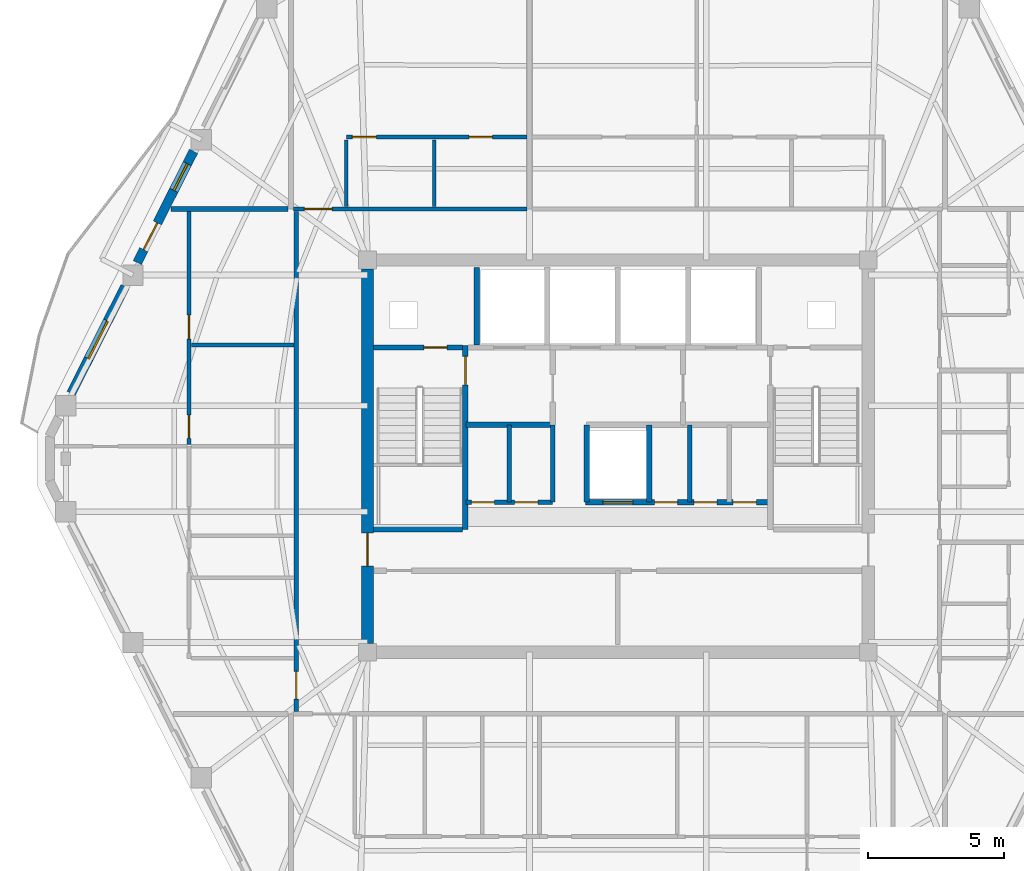
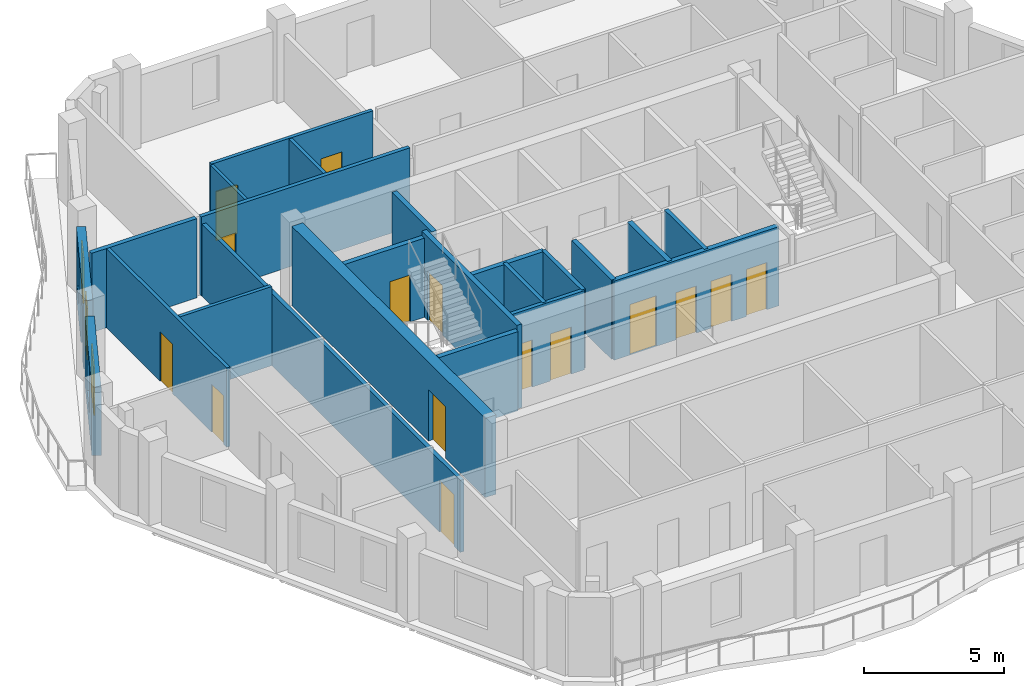
# One storey, part 5 of 11: 23 walls, 16 doors, 2 windows, 18 openings.
"""IFC4 building model written with IfcOpenShell, lengths in metres."""

from ifc_helpers import new_model, si_unit, direction, frame, frame_2d, origin, place, context, subcontext, project, spatial, rectangle, extrude, material, layer, layer_set, type_object, element, fill, save


model = new_model("IFC4")

# Units and contexts
model_context = context("Model", 3, precision=1e-05, world=origin(), true_north=direction((0.0, 1.0)))
body_context = subcontext(model_context, "Body", "Model", "MODEL_VIEW")
ifc_project = project(units=[si_unit("LENGTHUNIT", "METRE"), si_unit("AREAUNIT", "SQUARE_METRE"), si_unit("VOLUMEUNIT", "CUBIC_METRE"), si_unit("PLANEANGLEUNIT", "RADIAN"), si_unit("MASSUNIT", "GRAM", prefix="KILO")], contexts=[model_context])

# Site, building, storey
site_placement = place(None, origin())
site = spatial("IfcSite", under=ifc_project, at=site_placement, CompositionType="ELEMENT")
building_placement = place(site_placement, origin())
building = spatial("IfcBuilding", under=site, at=building_placement, Name="Cinnabar Lancet Tower", CompositionType="ELEMENT")
storey_placement = place(building_placement, frame((0.0, 0.0, 248.89990234375)))
storey = spatial("IfcBuildingStorey", under=building, at=storey_placement, Name="L66", CompositionType="ELEMENT", Elevation=248.89990234375)

# Wall, openings, doors
ifc_material_1 = material(Name="Acoustic twin-stud gypsum partition", Category="gypsum")
ifc_layer_1 = layer(ifc_material_1, 0.159912109375)
ifc_layer_set_1 = layer_set([ifc_layer_1], Name="Acoustic twin-stud gypsum partition")
wall_type_1 = type_object("IfcWallType", Name="ARC-WL-CORR-160", PredefinedType="PARTITIONING", material=ifc_layer_set_1)
wall_1_placement = place(storey_placement, frame((26.800048828125, 24.199951171875, 0.0), z_axis=(0.0, 0.0, 1.0), x_axis=(1.0, 0.0, 0.0)))
wall_1 = element("IfcWall", 1, at=wall_1_placement, inside=storey, type_object=wall_type_1, Name="CW-REC5S-L66", PredefinedType="PARTITIONING", context=body_context, shape_type="SweptSolid", body=[
    extrude(rectangle(XDim=3.199951171875, YDim=0.159912109375, at=frame_2d((1.60009765625, 0.0))), origin(), (0.0, 0.0, 1.0), 3.4501953125),
])
opening_1_placement = place(wall_1_placement, frame((0.199951171875, 0.0, 0.0)))
opening_1 = element("IfcOpeningElement", 2, at=opening_1_placement, cuts=wall_1, Name="Opening PD-02", PredefinedType="OPENING", context=body_context, shape_type="SweptSolid", body=[
    extrude(rectangle(XDim=0.85009765625, YDim=2.050048828125, at=frame_2d((0.425048828125, 1.02490234375))), frame((0.0, 0.08984375, 0.0), z_axis=(0.0, -1.0, 0.0), x_axis=(1.0, 0.0, 0.0)), (0.0, 0.0, 1.0), 0.179931640625),
])
opening_2_placement = place(wall_1_placement, frame((1.800048828125, 0.0, 0.0)))
opening_2 = element("IfcOpeningElement", 3, at=opening_2_placement, cuts=wall_1, Name="Opening PD-02", PredefinedType="OPENING", context=body_context, shape_type="SweptSolid", body=[
    extrude(rectangle(XDim=0.85009765625, YDim=2.050048828125, at=frame_2d((0.425048828125, 1.02490234375))), frame((0.0, 0.08984375, 0.0), z_axis=(0.0, -1.0, 0.0), x_axis=(1.0, 0.0, 0.0)), (0.0, 0.0, 1.0), 0.179931640625),
])
ifc_material_2 = material(Name="Fire-rated steel riser access door", Category="steel")
door_type_1 = type_object("IfcDoorType", Name="ARC-DR-RISER", OperationType="NOTDEFINED", PredefinedType="DOOR", material=ifc_material_2)
door_1_placement = place(opening_1_placement, origin())
door_1 = element("IfcDoor", 4, at=door_1_placement, inside=storey, type_object=door_type_1, Name="DR-L66-REC5A", OperationType="SINGLE_SWING_LEFT", OverallHeight=2.050048828125, OverallWidth=0.85009765625, PredefinedType="DOOR", context=body_context, shape_type="SweptSolid", body=[
    extrude(rectangle(XDim=0.85009765625, YDim=2.050048828125, at=frame_2d((0.425048828125, 1.02490234375))), frame((0.0, 0.02490234375, 0.0), z_axis=(0.0, -1.0, 0.0), x_axis=(1.0, 0.0, 0.0)), (0.0, 0.0, 1.0), 0.050048828125),
])
fill(opening_1, door_1)
door_2_placement = place(opening_2_placement, origin())
door_2 = element("IfcDoor", 5, at=door_2_placement, inside=storey, type_object=door_type_1, Name="DR-L66-REC5B", OperationType="SINGLE_SWING_RIGHT", OverallHeight=2.050048828125, OverallWidth=0.85009765625, PredefinedType="DOOR", context=body_context, shape_type="SweptSolid", body=[
    extrude(rectangle(XDim=0.85009765625, YDim=2.050048828125, at=frame_2d((0.425048828125, 1.02490234375))), frame((0.0, 0.02490234375, 0.0), z_axis=(0.0, -1.0, 0.0), x_axis=(1.0, 0.0, 0.0)), (0.0, 0.0, 1.0), 0.050048828125),
])
fill(opening_2, door_2)

# Walls
for number, where, z_axis, x_axis, name in (
    (6, (30.0, 24.199951171875, 0.0), (0.0, 0.0, 1.0), (0.0, 1.0, 0.0), "CW-REC5E-L66"),
    (7, (28.39990234375, 24.199951171875, 0.0), (0.0, 0.0, 1.0), (0.0, 1.0, 0.0), "CW-REC5D0-L66"),
    (8, (35.050048828125, 24.199951171875, 0.0), (0.0, 0.0, 1.0), (0.0, 1.0, 0.0), "CW-REC6D1-L66"),
):
    element("IfcWall", number, at=place(storey_placement, frame(where, z_axis=z_axis, x_axis=x_axis)), inside=storey, type_object=wall_type_1, Name=name, PredefinedType="PARTITIONING", context=body_context, shape_type="SweptSolid", body=[
        extrude(rectangle(XDim=2.85009765625, YDim=0.159912109375, at=frame_2d((1.425048828125, 0.0))), origin(), (0.0, 0.0, 1.0), 3.4501953125),
    ])

# Wall, opening, door
wall_2_placement = place(storey_placement, frame((20.445068359375, 35.0, 0.0), z_axis=(0.0, 0.0, 1.0), x_axis=(1.0, 0.0, 0.0)))
wall_2 = element("IfcWall", 9, at=wall_2_placement, inside=storey, type_object=wall_type_1, Name="L66 Unit N01 Corridor Wall", PredefinedType="PARTITIONING", context=body_context, shape_type="SweptSolid", body=[
    extrude(rectangle(XDim=8.60595703125, YDim=0.159912109375, at=frame_2d((4.302978515625, 0.0))), origin(), (0.0, 0.0, 1.0), 3.4501953125),
])
opening_3_placement = place(wall_2_placement, frame((0.405029296875, 0.0, 0.0)))
opening_3 = element("IfcOpeningElement", 10, at=opening_3_placement, cuts=wall_2, Name="Opening UD-01", PredefinedType="OPENING", context=body_context, shape_type="SweptSolid", body=[
    extrude(rectangle(XDim=1.02001953125, YDim=2.25, at=frame_2d((0.510009765625, 1.125))), frame((0.0, 0.08984375, 0.0), z_axis=(0.0, -1.0, 0.0), x_axis=(1.0, 0.0, 0.0)), (0.0, 0.0, 1.0), 0.179931640625),
])
ifc_material_3 = material(Name="Solid timber fire-rated apartment entrance door", Category="wood")
door_type_2 = type_object("IfcDoorType", Name="ARC-DR-UNIT", OperationType="NOTDEFINED", PredefinedType="DOOR", material=ifc_material_3)
door_3_placement = place(opening_3_placement, origin())
door_3 = element("IfcDoor", 11, at=door_3_placement, inside=storey, type_object=door_type_2, Name="DR-L66-N01-ENT", OperationType="SINGLE_SWING_RIGHT", OverallHeight=2.25, OverallWidth=1.02001953125, PredefinedType="DOOR", context=body_context, shape_type="SweptSolid", body=[
    extrude(rectangle(XDim=1.02001953125, YDim=2.25, at=frame_2d((0.510009765625, 1.125))), frame((0.0, 0.02490234375, 0.0), z_axis=(0.0, -1.0, 0.0), x_axis=(1.0, 0.0, 0.0)), (0.0, 0.0, 1.0), 0.050048828125),
])
fill(opening_3, door_3)

wall_3_placement = place(storey_placement, frame((20.550048828125, 16.4951171875, 0.0), z_axis=(0.0, 0.0, 1.0), x_axis=(0.0, 1.0, 0.0)))
wall_3 = element("IfcWall", 12, at=wall_3_placement, inside=storey, type_object=wall_type_1, Name="UW-L66-W01-COR", PredefinedType="PARTITIONING", context=body_context, shape_type="SweptSolid", body=[
    extrude(rectangle(XDim=18.409912109375, YDim=0.159912109375, at=frame_2d((9.205078125, 0.0))), origin(), (0.0, 0.0, 1.0), 3.13720703125),
])
opening_4_placement = place(wall_3_placement, frame((0.449951171875, 0.0, 0.0)))
opening_4 = element("IfcOpeningElement", 13, at=opening_4_placement, cuts=wall_3, Name="Opening UD-01", PredefinedType="OPENING", context=body_context, shape_type="SweptSolid", body=[
    extrude(rectangle(XDim=1.02001953125, YDim=2.25, at=frame_2d((0.510009765625, 1.125))), frame((0.0, 0.08984375, 0.0), z_axis=(0.0, -1.0, 0.0), x_axis=(1.0, 0.0, 0.0)), (0.0, 0.0, 1.0), 0.179931640625),
])
door_4_placement = place(opening_4_placement, origin())
door_4 = element("IfcDoor", 14, at=door_4_placement, inside=storey, type_object=door_type_2, Name="DR-L66-W01-ENT", OperationType="SINGLE_SWING_LEFT", OverallHeight=2.25, OverallWidth=1.02001953125, PredefinedType="DOOR", context=body_context, shape_type="SweptSolid", body=[
    extrude(rectangle(XDim=1.02001953125, YDim=2.25, at=frame_2d((0.510009765625, 1.125))), frame((0.0, 0.02490234375, 0.0), z_axis=(0.0, -1.0, 0.0), x_axis=(1.0, 0.0, 0.0)), (0.0, 0.0, 1.0), 0.050048828125),
])
fill(opening_4, door_4)

# Walls
ifc_material_4 = material(Name="Fire-rated twin-frame acoustic drywall", Category="gypsum")
ifc_layer_2 = layer(ifc_material_4, 0.179931640625)
ifc_layer_set_2 = layer_set([ifc_layer_2], Name="Fire-rated twin-frame acoustic drywall")
wall_type_2 = type_object("IfcWallType", Name="ARC-WL-PARTY-180", PredefinedType="PARTITIONING", material=ifc_layer_set_2)
wall_4_placement = place(storey_placement, frame((15.93310546875, 35.0, 0.0), z_axis=(0.0, 0.0, 1.0), x_axis=(1.0, 0.0, 0.0)))
element("IfcWall", 15, at=wall_4_placement, inside=storey, type_object=wall_type_2, Name="PW-L66-WNB", PredefinedType="PARTITIONING", context=body_context, shape_type="SweptSolid", body=[
    extrude(rectangle(XDim=4.32177734375, YDim=0.179931640625, at=frame_2d((2.160888671875, 0.0))), origin(), (0.0, 0.0, 1.0), 3.4501953125),
])
ifc_material_5 = material(Name="Autoclaved aerated concrete blockwork", Category="masonry")
ifc_layer_3 = layer(ifc_material_5, 0.199951171875)
ifc_layer_set_3 = layer_set([ifc_layer_3], Name="Autoclaved aerated concrete blockwork")
wall_type_3 = type_object("IfcWallType", Name="ARC-WL-SHAFT-200", PredefinedType="PLUMBINGWALL", material=ifc_layer_set_3)
wall_5_placement = place(storey_placement, frame((23.405029296875, 23.199951171875, 0.0), z_axis=(0.0, 0.0, 1.0), x_axis=(1.0, 0.0, 0.0)))
element("IfcWall", 16, at=wall_5_placement, inside=storey, type_object=wall_type_3, Name="CW-ST1S-L66", PredefinedType="PLUMBINGWALL", context=body_context, shape_type="SweptSolid", body=[
    extrude(rectangle(XDim=3.27001953125, YDim=0.199951171875, at=frame_2d((1.635009765625, 0.0))), origin(), (0.0, 0.0, 1.0), 3.4501953125),
])

# Wall, opening, door
wall_6_placement = place(storey_placement, frame((23.405029296875, 29.89990234375, 0.0), z_axis=(0.0, 0.0, 1.0), x_axis=(1.0, 0.0, 0.0)))
wall_6 = element("IfcWall", 17, at=wall_6_placement, inside=storey, type_object=wall_type_3, Name="CW-NSH-W-L66", PredefinedType="PLUMBINGWALL", context=body_context, shape_type="SweptSolid", body=[
    extrude(rectangle(XDim=3.27001953125, YDim=0.199951171875, at=frame_2d((1.635009765625, 0.0))), origin(), (0.0, 0.0, 1.0), 3.4501953125),
])
opening_5_placement = place(wall_6_placement, frame((1.85009765625, 0.0, 0.0)))
opening_5 = element("IfcOpeningElement", 18, at=opening_5_placement, cuts=wall_6, Name="Opening PD-02", PredefinedType="OPENING", context=body_context, shape_type="SweptSolid", body=[
    extrude(rectangle(XDim=0.85009765625, YDim=2.050048828125, at=frame_2d((0.425048828125, 1.02490234375))), frame((0.0, 0.10986328125, 0.0), z_axis=(0.0, -1.0, 0.0), x_axis=(1.0, 0.0, 0.0)), (0.0, 0.0, 1.0), 0.219970703125),
])
door_5_placement = place(opening_5_placement, origin())
door_5 = element("IfcDoor", 19, at=door_5_placement, inside=storey, type_object=door_type_1, Name="L66 West Riser Access Door", OperationType="SINGLE_SWING_LEFT", OverallHeight=2.050048828125, OverallWidth=0.85009765625, PredefinedType="DOOR", context=body_context, shape_type="SweptSolid", body=[
    extrude(rectangle(XDim=0.85009765625, YDim=2.050048828125, at=frame_2d((0.425048828125, 1.02490234375))), frame((0.0, 0.02490234375, 0.0), z_axis=(0.0, -1.0, 0.0), x_axis=(1.0, 0.0, 0.0)), (0.0, 0.0, 1.0), 0.050048828125),
])
fill(opening_5, door_5)

# Walls
wall_7_placement = place(storey_placement, frame((27.199951171875, 30.0, 0.0), z_axis=(0.0, 0.0, 1.0), x_axis=(0.0, 1.0, 0.0)))
element("IfcWall", 20, at=wall_7_placement, inside=storey, type_object=wall_type_3, Name="CW-NSH-D1-L66", PredefinedType="PLUMBINGWALL", context=body_context, shape_type="SweptSolid", body=[
    extrude(rectangle(XDim=2.85009765625, YDim=0.199951171875, at=frame_2d((1.425048828125, 0.0))), origin(), (0.0, 0.0, 1.0), 3.4501953125),
])
wall_8_placement = place(storey_placement, frame((26.800048828125, 27.050048828125, 0.0), z_axis=(0.0, 0.0, 1.0), x_axis=(1.0, 0.0, 0.0)))
element("IfcWall", 21, at=wall_8_placement, inside=storey, type_object=wall_type_3, Name="CW-FF1S-L66", PredefinedType="PLUMBINGWALL", context=body_context, shape_type="SweptSolid", body=[
    extrude(rectangle(XDim=3.199951171875, YDim=0.199951171875, at=frame_2d((1.60009765625, 0.0))), origin(), (0.0, 0.0, 1.0), 3.4501953125),
])

# Wall, openings, doors
wall_9_placement = place(storey_placement, frame((31.199951171875, 24.199951171875, 0.0), z_axis=(0.0, 0.0, 1.0), x_axis=(1.0, 0.0, 0.0)))
wall_9 = element("IfcWall", 22, at=wall_9_placement, inside=storey, type_object=wall_type_3, Name="CW-PL96S-L66", PredefinedType="PLUMBINGWALL", context=body_context, shape_type="SweptSolid", body=[
    extrude(rectangle(XDim=6.800048828125, YDim=0.199951171875, at=frame_2d((3.39990234375, 0.0))), origin(), (0.0, 0.0, 1.0), 3.4501953125),
])
opening_6_placement = place(wall_9_placement, frame((0.64990234375, 0.0, 0.0)))
opening_6 = element("IfcOpeningElement", 23, at=opening_6_placement, cuts=wall_9, Name="Opening LD-01", PredefinedType="OPENING", context=body_context, shape_type="SweptSolid", body=[
    extrude(rectangle(XDim=1.10009765625, YDim=2.199951171875, at=frame_2d((0.550048828125, 1.10009765625))), frame((0.0, 0.10986328125, 0.0), z_axis=(0.0, -1.0, 0.0), x_axis=(1.0, 0.0, 0.0)), (0.0, 0.0, 1.0), 0.219970703125),
])
opening_7_placement = place(wall_9_placement, frame((2.550048828125, 0.0, 0.0)))
opening_7 = element("IfcOpeningElement", 24, at=opening_7_placement, cuts=wall_9, Name="Opening PD-02", PredefinedType="OPENING", context=body_context, shape_type="SweptSolid", body=[
    extrude(rectangle(XDim=0.85009765625, YDim=2.050048828125, at=frame_2d((0.425048828125, 1.02490234375))), frame((0.0, 0.10986328125, 0.0), z_axis=(0.0, -1.0, 0.0), x_axis=(1.0, 0.0, 0.0)), (0.0, 0.0, 1.0), 0.219970703125),
])
opening_8_placement = place(wall_9_placement, frame((4.0, 0.0, 0.0)))
opening_8 = element("IfcOpeningElement", 25, at=opening_8_placement, cuts=wall_9, Name="Opening PD-02", PredefinedType="OPENING", context=body_context, shape_type="SweptSolid", body=[
    extrude(rectangle(XDim=0.85009765625, YDim=2.050048828125, at=frame_2d((0.425048828125, 1.02490234375))), frame((0.0, 0.10986328125, 0.0), z_axis=(0.0, -1.0, 0.0), x_axis=(1.0, 0.0, 0.0)), (0.0, 0.0, 1.0), 0.219970703125),
])
opening_9_placement = place(wall_9_placement, frame((5.449951171875, 0.0, 0.0)))
opening_9 = element("IfcOpeningElement", 26, at=opening_9_placement, cuts=wall_9, Name="Opening PD-02", PredefinedType="OPENING", context=body_context, shape_type="SweptSolid", body=[
    extrude(rectangle(XDim=0.85009765625, YDim=2.050048828125, at=frame_2d((0.425048828125, 1.02490234375))), frame((0.0, 0.10986328125, 0.0), z_axis=(0.0, -1.0, 0.0), x_axis=(1.0, 0.0, 0.0)), (0.0, 0.0, 1.0), 0.219970703125),
])
ifc_material_6 = material(Name="Brushed stainless steel sliding lift door", Category="steel")
door_type_3 = type_object("IfcDoorType", Name="ARC-DR-LD-PASS", OperationType="NOTDEFINED", PredefinedType="DOOR", material=ifc_material_6)
door_6_placement = place(opening_6_placement, origin())
door_6 = element("IfcDoor", 27, at=door_6_placement, inside=storey, type_object=door_type_3, Name="L66 Lift PL-9 Landing Door", OperationType="DOUBLE_DOOR_SLIDING", OverallHeight=2.199951171875, OverallWidth=1.10009765625, PredefinedType="DOOR", context=body_context, shape_type="SweptSolid", body=[
    extrude(rectangle(XDim=1.10009765625, YDim=2.199951171875, at=frame_2d((0.550048828125, 1.10009765625))), frame((0.0, 0.02490234375, 0.0), z_axis=(0.0, -1.0, 0.0), x_axis=(1.0, 0.0, 0.0)), (0.0, 0.0, 1.0), 0.050048828125),
])
fill(opening_6, door_6)
door_7_placement = place(opening_7_placement, origin())
door_7 = element("IfcDoor", 28, at=door_7_placement, inside=storey, type_object=door_type_1, Name="DR-L66-REC6A", OperationType="SINGLE_SWING_LEFT", OverallHeight=2.050048828125, OverallWidth=0.85009765625, PredefinedType="DOOR", context=body_context, shape_type="SweptSolid", body=[
    extrude(rectangle(XDim=0.85009765625, YDim=2.050048828125, at=frame_2d((0.425048828125, 1.02490234375))), frame((0.0, 0.02490234375, 0.0), z_axis=(0.0, -1.0, 0.0), x_axis=(1.0, 0.0, 0.0)), (0.0, 0.0, 1.0), 0.050048828125),
])
fill(opening_7, door_7)
door_8_placement = place(opening_8_placement, origin())
door_8 = element("IfcDoor", 29, at=door_8_placement, inside=storey, type_object=door_type_1, Name="DR-L66-REC6B", OperationType="SINGLE_SWING_RIGHT", OverallHeight=2.050048828125, OverallWidth=0.85009765625, PredefinedType="DOOR", context=body_context, shape_type="SweptSolid", body=[
    extrude(rectangle(XDim=0.85009765625, YDim=2.050048828125, at=frame_2d((0.425048828125, 1.02490234375))), frame((0.0, 0.02490234375, 0.0), z_axis=(0.0, -1.0, 0.0), x_axis=(1.0, 0.0, 0.0)), (0.0, 0.0, 1.0), 0.050048828125),
])
fill(opening_8, door_8)
door_9_placement = place(opening_9_placement, origin())
door_9 = element("IfcDoor", 30, at=door_9_placement, inside=storey, type_object=door_type_1, Name="DR-L66-REC6C", OperationType="SINGLE_SWING_LEFT", OverallHeight=2.050048828125, OverallWidth=0.85009765625, PredefinedType="DOOR", context=body_context, shape_type="SweptSolid", body=[
    extrude(rectangle(XDim=0.85009765625, YDim=2.050048828125, at=frame_2d((0.425048828125, 1.02490234375))), frame((0.0, 0.02490234375, 0.0), z_axis=(0.0, -1.0, 0.0), x_axis=(1.0, 0.0, 0.0)), (0.0, 0.0, 1.0), 0.050048828125),
])
fill(opening_9, door_9)

# Walls
for number, where, z_axis, x_axis, name in (
    (31, (31.25, 24.199951171875, 0.0), (0.0, 0.0, 1.0), (0.0, 1.0, 0.0), "CW-PL9W-L66"),
    (32, (33.550048828125, 24.199951171875, 0.0), (0.0, 0.0, 1.0), (0.0, 1.0, 0.0), "CW-PL9E-L66"),
):
    element("IfcWall", number, at=place(storey_placement, frame(where, z_axis=z_axis, x_axis=x_axis)), inside=storey, type_object=wall_type_3, Name=name, PredefinedType="PLUMBINGWALL", context=body_context, shape_type="SweptSolid", body=[
        extrude(rectangle(XDim=2.85009765625, YDim=0.199951171875, at=frame_2d((1.425048828125, 0.0))), origin(), (0.0, 0.0, 1.0), 3.4501953125),
    ])
ifc_material_7 = material(Name="Gypsum plasterboard stud partition", Category="gypsum")
ifc_layer_4 = layer(ifc_material_7, 0.125)
ifc_layer_set_4 = layer_set([ifc_layer_4], Name="Gypsum plasterboard stud partition")
wall_type_4 = type_object("IfcWallType", Name="ARC-WL-UNIT-125", PredefinedType="PARTITIONING", material=ifc_layer_set_4)
wall_10_placement = place(storey_placement, frame((22.39990234375, 35.0849609375, 0.0), z_axis=(0.0, 0.0, 1.0), x_axis=(0.0, 1.0, 0.0)))
element("IfcWall", 33, at=wall_10_placement, inside=storey, type_object=wall_type_4, Name="UW-L66-N01-FOYE", PredefinedType="PARTITIONING", context=body_context, shape_type="SweptSolid", body=[
    extrude(rectangle(XDim=2.4599609375, YDim=0.125, at=frame_2d((1.22998046875, 0.0))), origin(), (0.0, 0.0, 1.0), 3.4501953125),
])

# Wall, openings, doors
ifc_material_8 = material(Name="Moisture-resistant cement-board plumbing wall", Category="masonry")
ifc_layer_5 = layer(ifc_material_8, 0.139892578125)
ifc_layer_set_5 = layer_set([ifc_layer_5], Name="Moisture-resistant cement-board plumbing wall")
wall_type_5 = type_object("IfcWallType", Name="ARC-WL-WET-140", PredefinedType="PLUMBINGWALL", material=ifc_layer_set_5)
wall_11_placement = place(storey_placement, frame((22.39990234375, 37.64990234375, 0.0), z_axis=(0.0, 0.0, 1.0), x_axis=(1.0, 0.0, 0.0)))
wall_11 = element("IfcWall", 34, at=wall_11_placement, inside=storey, type_object=wall_type_5, Name="UW-L66-N01-SPL", PredefinedType="PLUMBINGWALL", context=body_context, shape_type="SweptSolid", body=[
    extrude(rectangle(XDim=6.651123046875, YDim=0.139892578125, at=frame_2d((3.32568359375, 0.0))), origin(), (0.0, 0.0, 1.0), 3.4501953125),
])
opening_10_placement = place(wall_11_placement, frame((4.52001953125, 0.0, 0.0)))
opening_10 = element("IfcOpeningElement", 35, at=opening_10_placement, cuts=wall_11, Name="Opening BD-01", PredefinedType="OPENING", context=body_context, shape_type="SweptSolid", body=[
    extrude(rectangle(XDim=0.860107421875, YDim=2.10009765625, at=frame_2d((0.43017578125, 1.050048828125))), frame((0.0, 0.079833984375, 0.0), z_axis=(0.0, -1.0, 0.0), x_axis=(1.0, 0.0, 0.0)), (0.0, 0.0, 1.0), 0.159912109375),
])
opening_11_placement = place(wall_11_placement, frame((0.219970703125, 0.0, 0.0)))
opening_11 = element("IfcOpeningElement", 36, at=opening_11_placement, cuts=wall_11, Name="Opening RD-02", PredefinedType="OPENING", context=body_context, shape_type="SweptSolid", body=[
    extrude(rectangle(XDim=0.8798828125, YDim=2.14990234375, at=frame_2d((0.43994140625, 1.074951171875))), frame((0.0, 0.079833984375, 0.0), z_axis=(0.0, -1.0, 0.0), x_axis=(1.0, 0.0, 0.0)), (0.0, 0.0, 1.0), 0.159912109375),
])
ifc_material_9 = material(Name="Moisture-resistant timber bathroom door", Category="wood")
door_type_4 = type_object("IfcDoorType", Name="ARC-DR-BATH", OperationType="NOTDEFINED", PredefinedType="DOOR", material=ifc_material_9)
door_10_placement = place(opening_10_placement, origin())
door_10 = element("IfcDoor", 37, at=door_10_placement, inside=storey, type_object=door_type_4, Name="DR-L66-N01-BTH", OperationType="SINGLE_SWING_RIGHT", OverallHeight=2.10009765625, OverallWidth=0.860107421875, PredefinedType="DOOR", context=body_context, shape_type="SweptSolid", body=[
    extrude(rectangle(XDim=0.860107421875, YDim=2.10009765625, at=frame_2d((0.43017578125, 1.050048828125))), frame((0.0, 0.02490234375, 0.0), z_axis=(0.0, -1.0, 0.0), x_axis=(1.0, 0.0, 0.0)), (0.0, 0.0, 1.0), 0.050048828125),
])
fill(opening_10, door_10)
ifc_material_10 = material(Name="Engineered timber study door", Category="wood")
door_type_5 = type_object("IfcDoorType", Name="ARC-DR-STUDY", OperationType="NOTDEFINED", PredefinedType="DOOR", material=ifc_material_10)
door_11_placement = place(opening_11_placement, origin())
door_11 = element("IfcDoor", 38, at=door_11_placement, inside=storey, type_object=door_type_5, Name="DR-L66-N01-KIT", OperationType="SINGLE_SWING_LEFT", OverallHeight=2.14990234375, OverallWidth=0.8798828125, PredefinedType="DOOR", context=body_context, shape_type="SweptSolid", body=[
    extrude(rectangle(XDim=0.8798828125, YDim=2.14990234375, at=frame_2d((0.43994140625, 1.074951171875))), frame((0.0, 0.02490234375, 0.0), z_axis=(0.0, -1.0, 0.0), x_axis=(1.0, 0.0, 0.0)), (0.0, 0.0, 1.0), 0.050048828125),
])
fill(opening_11, door_11)

# Wall
wall_12_placement = place(storey_placement, frame((25.637939453125, 35.0849609375, 0.0), z_axis=(0.0, 0.0, 1.0), x_axis=(0.0, 1.0, 0.0)))
element("IfcWall", 39, at=wall_12_placement, inside=storey, type_object=wall_type_5, Name="UW-L66-N01-KDV", PredefinedType="PLUMBINGWALL", context=body_context, shape_type="SweptSolid", body=[
    extrude(rectangle(XDim=2.4599609375, YDim=0.139892578125, at=frame_2d((1.22998046875, 0.0))), origin(), (0.0, 0.0, 1.0), 3.4501953125),
])

# Wall, openings, doors
wall_13_placement = place(storey_placement, frame((16.60009765625, 26.327880859375, 0.0), z_axis=(0.0, 0.0, 1.0), x_axis=(0.0, 1.0, 0.0)))
wall_13 = element("IfcWall", 40, at=wall_13_placement, inside=storey, type_object=wall_type_5, Name="UW-L66-W01-SPM", PredefinedType="PLUMBINGWALL", context=body_context, shape_type="SweptSolid", body=[
    extrude(rectangle(XDim=8.5771484375, YDim=0.139892578125, at=frame_2d((4.28857421875, 0.0))), origin(), (0.0, 0.0, 1.0), 3.4501953125),
])
opening_12_placement = place(wall_13_placement, frame((0.219970703125, 0.0, 0.0)))
opening_12 = element("IfcOpeningElement", 41, at=opening_12_placement, cuts=wall_13, Name="Opening BD-01", PredefinedType="OPENING", context=body_context, shape_type="SweptSolid", body=[
    extrude(rectangle(XDim=0.860107421875, YDim=2.10009765625, at=frame_2d((0.43017578125, 1.050048828125))), frame((0.0, 0.079833984375, 0.0), z_axis=(0.0, -1.0, 0.0), x_axis=(1.0, 0.0, 0.0)), (0.0, 0.0, 1.0), 0.159912109375),
])
opening_13_placement = place(wall_13_placement, frame((3.8798828125, 0.0, 0.0)))
opening_13 = element("IfcOpeningElement", 42, at=opening_13_placement, cuts=wall_13, Name="Opening RD-02", PredefinedType="OPENING", context=body_context, shape_type="SweptSolid", body=[
    extrude(rectangle(XDim=0.8798828125, YDim=2.14990234375, at=frame_2d((0.43994140625, 1.074951171875))), frame((0.0, 0.079833984375, 0.0), z_axis=(0.0, -1.0, 0.0), x_axis=(1.0, 0.0, 0.0)), (0.0, 0.0, 1.0), 0.159912109375),
])
door_12_placement = place(opening_12_placement, origin())
door_12 = element("IfcDoor", 43, at=door_12_placement, inside=storey, type_object=door_type_4, Name="DR-L66-W01-ENS", OperationType="SINGLE_SWING_LEFT", OverallHeight=2.10009765625, OverallWidth=0.860107421875, PredefinedType="DOOR", context=body_context, shape_type="SweptSolid", body=[
    extrude(rectangle(XDim=0.860107421875, YDim=2.10009765625, at=frame_2d((0.43017578125, 1.050048828125))), frame((0.0, 0.02490234375, 0.0), z_axis=(0.0, -1.0, 0.0), x_axis=(1.0, 0.0, 0.0)), (0.0, 0.0, 1.0), 0.050048828125),
])
fill(opening_12, door_12)
door_13_placement = place(opening_13_placement, origin())
door_13 = element("IfcDoor", 44, at=door_13_placement, inside=storey, type_object=door_type_5, Name="DR-L66-W01-EWDR", OperationType="SINGLE_SWING_RIGHT", OverallHeight=2.14990234375, OverallWidth=0.8798828125, PredefinedType="DOOR", context=body_context, shape_type="SweptSolid", body=[
    extrude(rectangle(XDim=0.8798828125, YDim=2.14990234375, at=frame_2d((0.43994140625, 1.074951171875))), frame((0.0, 0.02490234375, 0.0), z_axis=(0.0, -1.0, 0.0), x_axis=(1.0, 0.0, 0.0)), (0.0, 0.0, 1.0), 0.050048828125),
])
fill(opening_13, door_13)

# Wall
wall_14_placement = place(storey_placement, frame((16.68505859375, 29.988037109375, 0.0), z_axis=(0.0, 0.0, 1.0), x_axis=(1.0, 0.0, 0.0)))
element("IfcWall", 45, at=wall_14_placement, inside=storey, type_object=wall_type_5, Name="UW-L66-W01-EWDV", PredefinedType="PLUMBINGWALL", context=body_context, shape_type="SweptSolid", body=[
    extrude(rectangle(XDim=3.780029296875, YDim=0.139892578125, at=frame_2d((1.89013671875, 0.0))), origin(), (0.0, 0.0, 1.0), 3.4501953125),
])

# Wall, openings, door, window
ifc_material_11 = material(Name="Cinnabar red clay brick", Category="masonry")
ifc_layer_6 = layer(ifc_material_11, 0.340087890625)
ifc_layer_set_6 = layer_set([ifc_layer_6], Name="Cinnabar red clay brick")
wall_type_6 = type_object("IfcWallType", Name="ENV-WL-BRK-RED-340", PredefinedType="STANDARD", material=ifc_layer_set_6)
wall_15_placement = place(storey_placement, frame((16.76806640625, 37.126953125, 0.0), z_axis=(0.0, 0.0, 1.0), x_axis=(-0.451581819983, -0.892229712496, 0.0)))
wall_15 = element("IfcWall", 46, at=wall_15_placement, inside=storey, type_object=wall_type_6, Name="L66 Face 5 Masonry Bay Wall 3", PredefinedType="STANDARD", context=body_context, shape_type="SweptSolid", body=[
    extrude(rectangle(XDim=4.599609375, YDim=0.340087890625, at=frame_2d((2.2998046875, 0.0))), origin(), (0.0, 0.0, 1.0), 2.983154296875),
])
opening_14_placement = place(wall_15_placement, frame((2.9580078125, 0.0, 0.0)))
opening_14 = element("IfcOpeningElement", 47, at=opening_14_placement, cuts=wall_15, Name="Opening TD-01", PredefinedType="OPENING", context=body_context, shape_type="SweptSolid", body=[
    extrude(rectangle(XDim=1.10009765625, YDim=2.25, at=frame_2d((0.550048828125, 1.125))), frame((0.0, 0.179931640625, 0.0), z_axis=(0.0, -1.0, 0.0), x_axis=(1.0, 0.0, 0.0)), (0.0, 0.0, 1.0), 0.360107421875),
])
opening_15_placement = place(wall_15_placement, frame((0.511962890625, 0.0, 0.75)))
opening_15 = element("IfcOpeningElement", 48, at=opening_15_placement, cuts=wall_15, Name="Opening WN-04", PredefinedType="OPENING", context=body_context, shape_type="SweptSolid", body=[
    extrude(rectangle(XDim=1.10009765625, YDim=2.0, at=frame_2d((0.550048828125, 1.0))), frame((0.0, 0.179931640625, 0.0), z_axis=(0.0, -1.0, 0.0), x_axis=(1.0, 0.0, 0.0)), (0.0, 0.0, 1.0), 0.360107421875),
])
ifc_material_12 = material(Name="Thermally broken low-E glazed balcony terrace door", Category="wood")
door_type_6 = type_object("IfcDoorType", Name="ARC-DR-BALC", OperationType="NOTDEFINED", PredefinedType="DOOR", material=ifc_material_12)
door_14_placement = place(opening_14_placement, origin())
door_14 = element("IfcDoor", 49, at=door_14_placement, inside=storey, type_object=door_type_6, Name="L66 Face 5 Glazed Terrace Door", OperationType="SINGLE_SWING_RIGHT", OverallHeight=2.25, OverallWidth=1.10009765625, PredefinedType="DOOR", context=body_context, shape_type="SweptSolid", body=[
    extrude(rectangle(XDim=1.10009765625, YDim=2.25, at=frame_2d((0.550048828125, 1.125))), frame((0.0, 0.02490234375, 0.0), z_axis=(0.0, -1.0, 0.0), x_axis=(1.0, 0.0, 0.0)), (0.0, 0.0, 1.0), 0.050048828125),
])
fill(opening_14, door_14)
ifc_material_13 = material(Name="Thermally broken bronze-anodized aluminium tall lancet window", Category="aluminium")
window_type_1 = type_object("IfcWindowType", Name="ENV-WN-LANCET-1100", PartitioningType="SINGLE_PANEL", PredefinedType="WINDOW", material=ifc_material_13)
window_1_placement = place(opening_15_placement, origin())
window_1 = element("IfcWindow", 50, at=window_1_placement, inside=storey, type_object=window_type_1, Name="L66 Split-Bay Gothic Lancet Window 236", OverallHeight=2.0, OverallWidth=1.10009765625, PartitioningType="SINGLE_PANEL", PredefinedType="WINDOW", context=body_context, shape_type="SweptSolid", body=[
    extrude(rectangle(XDim=1.10009765625, YDim=2.0, at=frame_2d((0.550048828125, 1.0))), frame((0.0, 0.030029296875, 0.0), z_axis=(0.0, -1.0, 0.0), x_axis=(1.0, 0.0, 0.0)), (0.0, 0.0, 1.0), 0.06005859375),
])
fill(opening_15, window_1)

# Wall, opening, window
wall_16_placement = place(storey_placement, frame((14.24609375, 32.14404296875, 0.0), z_axis=(0.0, 0.0, 1.0), x_axis=(-0.451285866323, -0.892379441077, 0.0)))
wall_16 = element("IfcWall", 51, at=wall_16_placement, inside=storey, type_object=wall_type_6, Name="L66 Face 5 Masonry Bay Wall 4", PredefinedType="STANDARD", context=body_context, shape_type="SweptSolid", body=[
    extrude(rectangle(XDim=4.407470703125, YDim=0.340087890625, at=frame_2d((2.20361328125, 0.0))), origin(), (0.0, 0.0, 1.0), 2.983154296875),
])
opening_16_placement = place(wall_16_placement, frame((1.428955078125, 0.0, 0.75)))
opening_16 = element("IfcOpeningElement", 52, at=opening_16_placement, cuts=wall_16, Name="Opening WN-01", PredefinedType="OPENING", context=body_context, shape_type="SweptSolid", body=[
    extrude(rectangle(XDim=1.550048828125, YDim=2.050048828125, at=frame_2d((0.77490234375, 1.02490234375))), frame((0.0, 0.179931640625, 0.0), z_axis=(0.0, -1.0, 0.0), x_axis=(1.0, 0.0, 0.0)), (0.0, 0.0, 1.0), 0.360107421875),
])
ifc_material_14 = material(Name="Thermally broken bronze-anodized aluminium low-E double glazing", Category="aluminium")
window_type_2 = type_object("IfcWindowType", Name="ENV-WN-LANCET-1550", PartitioningType="SINGLE_PANEL", PredefinedType="WINDOW", material=ifc_material_14)
window_2_placement = place(opening_16_placement, origin())
window_2 = element("IfcWindow", 53, at=window_2_placement, inside=storey, type_object=window_type_2, Name="L66 Face 5 Gothic Lancet Window 4", OverallHeight=2.050048828125, OverallWidth=1.550048828125, PartitioningType="SINGLE_PANEL", PredefinedType="WINDOW", context=body_context, shape_type="SweptSolid", body=[
    extrude(rectangle(XDim=1.550048828125, YDim=2.050048828125, at=frame_2d((0.77490234375, 1.02490234375))), frame((0.0, 0.030029296875, 0.0), z_axis=(0.0, -1.0, 0.0), x_axis=(1.0, 0.0, 0.0)), (0.0, 0.0, 1.0), 0.06005859375),
])
fill(opening_16, window_2)

# Wall, opening, door
ifc_material_15 = material(Name="Concrete C50/60", Category="concrete")
ifc_layer_7 = layer(ifc_material_15, 0.449951171875)
ifc_layer_set_7 = layer_set([ifc_layer_7], Name="Concrete C50/60")
wall_type_7 = type_object("IfcWallType", Name="STR-WL-CORE-450", PredefinedType="SHEAR", material=ifc_layer_set_7)
wall_17_placement = place(storey_placement, frame((23.175048828125, 19.0, 0.0), z_axis=(0.0, 0.0, 1.0), x_axis=(0.0, 1.0, 0.0)))
wall_17 = element("IfcWall", 54, at=wall_17_placement, inside=storey, type_object=wall_type_7, Name="L66 Core Shear Wall W", PredefinedType="SHEAR", context=body_context, shape_type="SweptSolid", body=[
    extrude(rectangle(XDim=13.800048828125, YDim=0.449951171875, at=frame_2d((6.89990234375, 0.0))), origin(), (0.0, 0.0, 1.0), 3.4501953125),
])
opening_17_placement = place(wall_17_placement, frame((2.840087890625, 0.0, 0.0)))
opening_17 = element("IfcOpeningElement", 55, at=opening_17_placement, cuts=wall_17, Name="Opening FD-02", PredefinedType="OPENING", context=body_context, shape_type="SweptSolid", body=[
    extrude(rectangle(XDim=1.219970703125, YDim=2.25, at=frame_2d((0.60986328125, 1.125))), frame((0.0, 0.23486328125, 0.0), z_axis=(0.0, -1.0, 0.0), x_axis=(1.0, 0.0, 0.0)), (0.0, 0.0, 1.0), 0.469970703125),
])
ifc_material_16 = material(Name="Fire-rated double-vision core portal door", Category="wood")
door_type_7 = type_object("IfcDoorType", Name="ARC-DR-CPORT", OperationType="NOTDEFINED", PredefinedType="DOOR", material=ifc_material_16)
door_15_placement = place(opening_17_placement, origin())
door_15 = element("IfcDoor", 56, at=door_15_placement, inside=storey, type_object=door_type_7, Name="L66 West Core Lobby Fire Door", OperationType="SINGLE_SWING_RIGHT", OverallHeight=2.25, OverallWidth=1.219970703125, PredefinedType="DOOR", context=body_context, shape_type="SweptSolid", body=[
    extrude(rectangle(XDim=1.219970703125, YDim=2.25, at=frame_2d((0.60986328125, 1.125))), frame((0.0, 0.02490234375, 0.0), z_axis=(0.0, -1.0, 0.0), x_axis=(1.0, 0.0, 0.0)), (0.0, 0.0, 1.0), 0.050048828125),
])
fill(opening_17, door_15)

ifc_material_17 = material(Name="Concrete C50/60", Category="concrete")
ifc_layer_8 = layer(ifc_material_17, 0.199951171875)
ifc_layer_set_8 = layer_set([ifc_layer_8], Name="Concrete C50/60")
wall_type_8 = type_object("IfcWallType", Name="STR-WL-STAIR-200", PredefinedType="SHEAR", material=ifc_layer_set_8)
wall_18_placement = place(storey_placement, frame((26.780029296875, 23.199951171875, 0.0), z_axis=(0.0, 0.0, 1.0), x_axis=(0.0, 1.0, 0.0)))
wall_18 = element("IfcWall", 57, at=wall_18_placement, inside=storey, type_object=wall_type_8, Name="L66 Stair ST-1 Structural Enclosure Wall", PredefinedType="SHEAR", context=body_context, shape_type="SweptSolid", body=[
    extrude(rectangle(XDim=6.780029296875, YDim=0.199951171875, at=frame_2d((3.39013671875, 0.0))), origin(), (0.0, 0.0, 1.0), 3.650146484375),
])
opening_18_placement = place(wall_18_placement, frame((5.320068359375, 0.0, 0.0)))
opening_18 = element("IfcOpeningElement", 58, at=opening_18_placement, cuts=wall_18, Name="Opening SD-01", PredefinedType="OPENING", context=body_context, shape_type="SweptSolid", body=[
    extrude(rectangle(XDim=1.050048828125, YDim=2.14990234375, at=frame_2d((0.52490234375, 1.074951171875))), frame((0.0, 0.10986328125, 0.0), z_axis=(0.0, -1.0, 0.0), x_axis=(1.0, 0.0, 0.0)), (0.0, 0.0, 1.0), 0.219970703125),
])
ifc_material_18 = material(Name="Fire-rated steel stair exit door", Category="steel")
door_type_8 = type_object("IfcDoorType", Name="ARC-DR-STAIR", OperationType="NOTDEFINED", PredefinedType="DOOR", material=ifc_material_18)
door_16_placement = place(opening_18_placement, origin())
door_16 = element("IfcDoor", 59, at=door_16_placement, inside=storey, type_object=door_type_8, Name="L66 Stair ST-1 Fire Door", OperationType="SINGLE_SWING_LEFT", OverallHeight=2.14990234375, OverallWidth=1.050048828125, PredefinedType="DOOR", context=body_context, shape_type="SweptSolid", body=[
    extrude(rectangle(XDim=1.050048828125, YDim=2.14990234375, at=frame_2d((0.52490234375, 1.074951171875))), frame((0.0, 0.02490234375, 0.0), z_axis=(0.0, -1.0, 0.0), x_axis=(1.0, 0.0, 0.0)), (0.0, 0.0, 1.0), 0.050048828125),
])
fill(opening_18, door_16)

save(model, "model.ifc")
